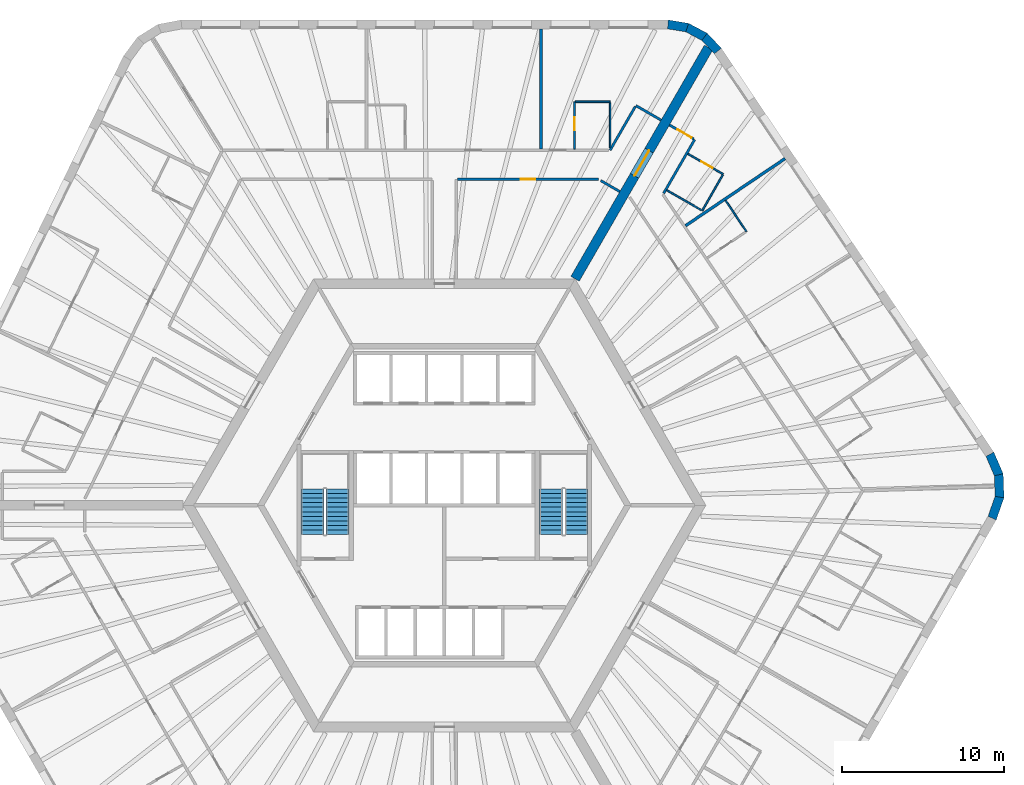
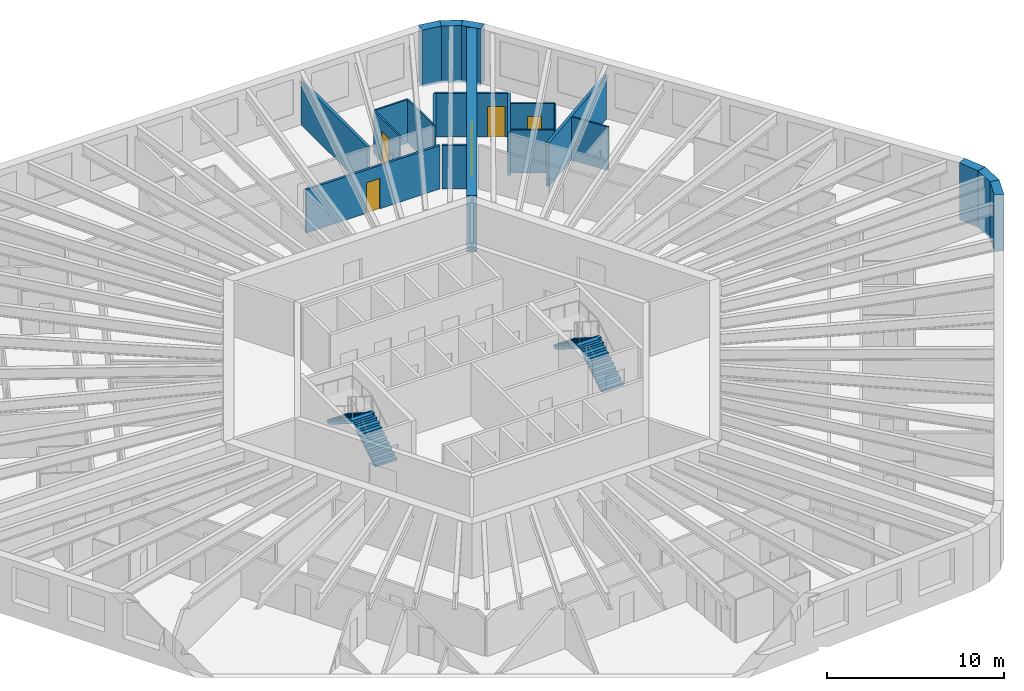
# One storey, part 10 of 11: 22 walls, 5 doors, 4 stair flights, 5 openings, 2 elements without a shape of their own.
"""IFC4 building model written with IfcOpenShell, lengths in metres."""

from ifc_helpers import new_model, si_unit, direction, frame, frame_2d, origin, place, context, subcontext, project, spatial, polyline, rectangle, outline, extrude, material, layer, layer_set, type_object, element, fill, aggregate, save


model = new_model("IFC4")

# Units and contexts
model_context = context("Model", 3, precision=1e-05, world=origin(), true_north=direction((0.0, 1.0)))
body_context = subcontext(model_context, "Body", "Model", "MODEL_VIEW")
ifc_project = project(units=[si_unit("LENGTHUNIT", "METRE"), si_unit("AREAUNIT", "SQUARE_METRE"), si_unit("VOLUMEUNIT", "CUBIC_METRE"), si_unit("PLANEANGLEUNIT", "RADIAN"), si_unit("MASSUNIT", "GRAM", prefix="KILO")], contexts=[model_context])

# Site, building, storey
site_placement = place(None, origin())
site = spatial("IfcSite", under=ifc_project, at=site_placement, CompositionType="ELEMENT")
building_placement = place(site_placement, origin())
building = spatial("IfcBuilding", under=site, at=building_placement, Name="Tarnside Tower", CompositionType="ELEMENT")
storey_placement = place(building_placement, frame((0.0, 0.0, 45.300048828125)))
storey = spatial("IfcBuildingStorey", under=building, at=storey_placement, Name="L08", CompositionType="ELEMENT", Elevation=45.300048828125)

# Wall, opening, door
ifc_material_1 = material(Name="Gypsum board partition on steel studs", Category="steel")
ifc_layer_1 = layer(ifc_material_1, 0.10009765625)
ifc_layer_set_1 = layer_set([ifc_layer_1], Name="Bathroom wall 100")
wall_type_1 = type_object("IfcWallType", Name="Bathroom wall 100", PredefinedType="PARTITIONING", material=ifc_layer_set_1)
wall_1_placement = place(storey_placement, frame((8.0478515625, 22.02490234375, 0.0), z_axis=(0.0, 0.0, 1.0), x_axis=(0.0, 1.0, 0.0)))
wall_1 = element("IfcWall", 1, at=wall_1_placement, inside=storey, type_object=wall_type_1, Name="Bathroom wall 01077", PredefinedType="PARTITIONING", context=body_context, shape_type="SweptSolid", body=[
    extrude(rectangle(XDim=2.925048828125, YDim=0.10009765625, at=frame_2d((1.46240234375, 0.0))), origin(), (0.0, 0.0, 1.0), 2.98779296875),
])
opening_1_placement = place(wall_1_placement, frame((1.175048828125, 0.0, 0.0)))
opening_1 = element("IfcOpeningElement", 2, at=opening_1_placement, cuts=wall_1, Name="Opening D-B1", PredefinedType="OPENING", context=body_context, shape_type="SweptSolid", body=[
    extrude(rectangle(XDim=0.800048828125, YDim=2.10009765625, at=frame_2d((0.39990234375, 1.050048828125))), frame((0.0, 0.06005859375, 0.0), z_axis=(0.0, -1.0, 0.0), x_axis=(1.0, 0.0, 0.0)), (0.0, 0.0, 1.0), 0.1201171875),
])
ifc_material_2 = material(Name="Timber door leaf", Category="wood")
door_type_1 = type_object("IfcDoorType", Name="Bathroom door 800", OperationType="NOTDEFINED", PredefinedType="DOOR", material=ifc_material_2)
door_1_placement = place(opening_1_placement, origin())
door_1 = element("IfcDoor", 3, at=door_1_placement, inside=storey, type_object=door_type_1, Name="Bathroom door 01002", OperationType="SINGLE_SWING_LEFT", OverallHeight=2.10009765625, OverallWidth=0.800048828125, PredefinedType="DOOR", context=body_context, shape_type="SweptSolid", body=[
    extrude(rectangle(XDim=0.800048828125, YDim=2.10009765625, at=frame_2d((0.39990234375, 1.050048828125))), frame((0.0, 0.02490234375, 0.0), z_axis=(0.0, -1.0, 0.0), x_axis=(1.0, 0.0, 0.0)), (0.0, 0.0, 1.0), 0.050048828125),
])
fill(opening_1, door_1)

# Walls
wall_2_placement = place(storey_placement, frame((8.097900390625, 24.949951171875, 0.0), z_axis=(0.0, 0.0, 1.0), x_axis=(1.0, 0.0, 0.0)))
element("IfcWall", 4, at=wall_2_placement, inside=storey, type_object=wall_type_1, Name="Bathroom wall 01078", PredefinedType="PARTITIONING", context=body_context, shape_type="SweptSolid", body=[
    extrude(rectangle(XDim=2.150146484375, YDim=0.10009765625, at=frame_2d((1.0751953125, 0.0))), origin(), (0.0, 0.0, 1.0), 2.98779296875),
])
wall_3_placement = place(storey_placement, frame((10.248046875, 24.89990234375, 0.0), z_axis=(0.0, 0.0, 1.0), x_axis=(0.0, -1.0, 0.0)))
element("IfcWall", 5, at=wall_3_placement, inside=storey, type_object=wall_type_1, Name="Bathroom wall 01079", PredefinedType="PARTITIONING", context=body_context, shape_type="SweptSolid", body=[
    extrude(rectangle(XDim=2.7998046875, YDim=0.10009765625, at=frame_2d((1.39990234375, 0.0))), origin(), (0.0, 0.0, 1.0), 2.98779296875),
])
wall_4_placement = place(storey_placement, frame((17.385986328125, 18.84228515625, 0.0), z_axis=(0.0, 0.0, 1.0), x_axis=(0.559131530856, -0.829078965602, 0.0)))
element("IfcWall", 6, at=wall_4_placement, inside=storey, type_object=wall_type_1, Name="Bathroom wall 01147", PredefinedType="PARTITIONING", context=body_context, shape_type="SweptSolid", body=[
    extrude(rectangle(XDim=2.309814453125, YDim=0.10009765625, at=frame_2d((1.15478515625, 0.0))), origin(), (0.0, 0.0, 1.0), 2.98779296875),
])

# Wall, opening, door
wall_5_placement = place(storey_placement, frame((15.057373046875, 21.72998046875, 0.0), z_axis=(0.0, 0.0, 1.0), x_axis=(0.866014894461, -0.50001820224, 0.0)))
wall_5 = element("IfcWall", 7, at=wall_5_placement, inside=storey, type_object=wall_type_1, Name="Bathroom wall 01153", PredefinedType="PARTITIONING", context=body_context, shape_type="SweptSolid", body=[
    extrude(rectangle(XDim=2.52490234375, YDim=0.10009765625, at=frame_2d((1.262451171875, 0.0))), origin(), (0.0, 0.0, 1.0), 2.98779296875),
])
opening_2_placement = place(wall_5_placement, frame((0.955078125, 0.0, 0.0)))
opening_2 = element("IfcOpeningElement", 8, at=opening_2_placement, cuts=wall_5, Name="Opening D-B1", PredefinedType="OPENING", context=body_context, shape_type="SweptSolid", body=[
    extrude(rectangle(XDim=0.800048828125, YDim=2.10009765625, at=frame_2d((0.39990234375, 1.050048828125))), frame((0.0, 0.06005859375, 0.0), z_axis=(0.0, -1.0, 0.0), x_axis=(1.0, 0.0, 0.0)), (0.0, 0.0, 1.0), 0.1201171875),
])
door_2_placement = place(opening_2_placement, origin())
door_2 = element("IfcDoor", 9, at=door_2_placement, inside=storey, type_object=door_type_1, Name="Bathroom door 01041", OperationType="SINGLE_SWING_LEFT", OverallHeight=2.10009765625, OverallWidth=0.800048828125, PredefinedType="DOOR", context=body_context, shape_type="SweptSolid", body=[
    extrude(rectangle(XDim=0.800048828125, YDim=2.10009765625, at=frame_2d((0.39990234375, 1.050048828125))), frame((0.0, 0.02490234375, 0.0), z_axis=(0.0, -1.0, 0.0), x_axis=(1.0, 0.0, 0.0)), (0.0, 0.0, 1.0), 0.050048828125),
])
fill(opening_2, door_2)

# Walls
wall_6_placement = place(storey_placement, frame((17.218994140625, 20.42431640625, 0.0), z_axis=(0.0, 0.0, 1.0), x_axis=(-0.499948979701, -0.866054858364, 0.0)))
element("IfcWall", 10, at=wall_6_placement, inside=storey, type_object=wall_type_1, Name="Bathroom wall 01154", PredefinedType="PARTITIONING", context=body_context, shape_type="SweptSolid", body=[
    extrude(rectangle(XDim=2.550048828125, YDim=0.10009765625, at=frame_2d((1.27490234375, 0.0))), origin(), (0.0, 0.0, 1.0), 2.98779296875),
])
wall_7_placement = place(storey_placement, frame((15.900634765625, 18.24072265625, 0.0), z_axis=(0.0, 0.0, 1.0), x_axis=(-0.866006523861, 0.500032699561, 0.0)))
element("IfcWall", 11, at=wall_7_placement, inside=storey, type_object=wall_type_1, Name="Bathroom wall 01155", PredefinedType="PARTITIONING", context=body_context, shape_type="SweptSolid", body=[
    extrude(rectangle(XDim=2.474853515625, YDim=0.10009765625, at=frame_2d((1.2373046875, 0.0))), origin(), (0.0, 0.0, 1.0), 2.98779296875),
])

# Wall, opening, door
ifc_material_3 = material(Name="Concrete C80/95", Category="concrete")
ifc_layer_2 = layer(ifc_material_3, 0.60009765625)
ifc_layer_set_2 = layer_set([ifc_layer_2], Name="Core wall Z1 600 C80/95")
wall_type_2 = type_object("IfcWallType", Name="Core wall Z1 600 C80/95", PredefinedType="SHEAR", material=ifc_layer_set_2)
wall_8_placement = place(storey_placement, frame((8.0830078125, 14.0, -0.150146484375), z_axis=(0.0, 0.0, 1.0), x_axis=(0.499997680643, 0.866026742862, 0.0)))
wall_8 = element("IfcWall", 12, at=wall_8_placement, inside=storey, type_object=wall_type_2, Name="L08 spine wall 1", PredefinedType="SHEAR", context=body_context, shape_type="SweptSolid", body=[
    extrude(rectangle(XDim=16.5087890625, YDim=0.60009765625, at=frame_2d((8.25439453125, 0.0))), origin(), (0.0, 0.0, 1.0), 3.900146484375),
])
opening_3_placement = place(wall_8_placement, frame((7.3544921875, 0.0, 0.14990234375)))
opening_3 = element("IfcOpeningElement", 13, at=opening_3_placement, cuts=wall_8, Name="Opening CD-SPN", PredefinedType="OPENING", context=body_context, shape_type="SweptSolid", body=[
    extrude(rectangle(XDim=1.800048828125, YDim=2.39990234375, at=frame_2d((0.89990234375, 1.199951171875))), frame((0.0, 0.31005859375, 0.0), z_axis=(0.0, -1.0, 0.0), x_axis=(1.0, 0.0, 0.0)), (0.0, 0.0, 1.0), 0.6201171875),
])
ifc_material_4 = material(Name="Steel fire door", Category="steel")
door_type_2 = type_object("IfcDoorType", Name="Spine passage double door FD60 1800x2400", OperationType="NOTDEFINED", PredefinedType="DOOR", material=ifc_material_4)
door_3_placement = place(opening_3_placement, origin())
door_3 = element("IfcDoor", 14, at=door_3_placement, inside=storey, type_object=door_type_2, Name="L08 spine passage door 1", OperationType="DOUBLE_DOOR_SINGLE_SWING", OverallHeight=2.39990234375, OverallWidth=1.800048828125, PredefinedType="DOOR", context=body_context, shape_type="SweptSolid", body=[
    extrude(rectangle(XDim=1.800048828125, YDim=2.39990234375, at=frame_2d((0.89990234375, 1.199951171875))), frame((0.0, 0.02490234375, 0.0), z_axis=(0.0, -1.0, 0.0), x_axis=(1.0, 0.0, 0.0)), (0.0, 0.0, 1.0), 0.050048828125),
])
fill(opening_3, door_3)

# Walls
ifc_layer_3 = layer(ifc_material_1, 0.14990234375)
ifc_layer_set_3 = layer_set([ifc_layer_3], Name="Corridor wall 150 EI 60")
wall_type_3 = type_object("IfcWallType", Name="Corridor wall 150 EI 60", PredefinedType="PARTITIONING", material=ifc_layer_set_3)
wall_9_placement = place(storey_placement, frame((13.400390625, 23.81005859375, 0.0), z_axis=(0.0, 0.0, 1.0), x_axis=(-0.865989075817, 0.500062916607, 0.0)))
element("IfcWall", 15, at=wall_9_placement, inside=storey, type_object=wall_type_3, Name="Corridor wall 01002", PredefinedType="PARTITIONING", context=body_context, shape_type="SweptSolid", body=[
    extrude(rectangle(XDim=1.800048828125, YDim=0.14990234375, at=frame_2d((0.89990234375, 0.0))), origin(), (0.0, 0.0, 1.0), 2.98779296875),
])
wall_10_placement = place(storey_placement, frame((11.803955078125, 24.64501953125, 0.0), z_axis=(0.0, 0.0, 1.0), x_axis=(-0.499978251519, -0.866037959912, 0.0)))
element("IfcWall", 16, at=wall_10_placement, inside=storey, type_object=wall_type_3, Name="Corridor wall 01003", PredefinedType="PARTITIONING", context=body_context, shape_type="SweptSolid", body=[
    extrude(rectangle(XDim=3.112060546875, YDim=0.14990234375, at=frame_2d((1.55615234375, 0.0))), origin(), (0.0, 0.0, 1.0), 2.98779296875),
])

# Wall, opening, door
wall_11_placement = place(storey_placement, frame((0.824951171875, 20.14990234375, 0.0), z_axis=(0.0, 0.0, 1.0), x_axis=(1.0, 0.0, 0.0)))
wall_11 = element("IfcWall", 17, at=wall_11_placement, inside=storey, type_object=wall_type_3, Name="Corridor wall 01021", PredefinedType="PARTITIONING", context=body_context, shape_type="SweptSolid", body=[
    extrude(rectangle(XDim=8.712158203125, YDim=0.14990234375, at=frame_2d((4.35595703125, 0.0))), origin(), (0.0, 0.0, 1.0), 2.98779296875),
])
opening_4_placement = place(wall_11_placement, frame((3.906005859375, 0.0, 0.0)))
opening_4 = element("IfcOpeningElement", 18, at=opening_4_placement, cuts=wall_11, Name="Opening D-S1", PredefinedType="OPENING", context=body_context, shape_type="SweptSolid", body=[
    extrude(rectangle(XDim=0.89990234375, YDim=2.10009765625, at=frame_2d((0.449951171875, 1.050048828125))), frame((0.0, 0.0849609375, 0.0), z_axis=(0.0, -1.0, 0.0), x_axis=(1.0, 0.0, 0.0)), (0.0, 0.0, 1.0), 0.169921875),
])
door_type_3 = type_object("IfcDoorType", Name="Service room door 900 FD30S", OperationType="NOTDEFINED", PredefinedType="DOOR", material=ifc_material_2)
door_4_placement = place(opening_4_placement, origin())
door_4 = element("IfcDoor", 19, at=door_4_placement, inside=storey, type_object=door_type_3, Name="Service door 01043", OperationType="SINGLE_SWING_RIGHT", OverallHeight=2.10009765625, OverallWidth=0.89990234375, PredefinedType="DOOR", context=body_context, shape_type="SweptSolid", body=[
    extrude(rectangle(XDim=0.89990234375, YDim=2.10009765625, at=frame_2d((0.449951171875, 1.050048828125))), frame((0.0, 0.02490234375, 0.0), z_axis=(0.0, -1.0, 0.0), x_axis=(1.0, 0.0, 0.0)), (0.0, 0.0, 1.0), 0.050048828125),
])
fill(opening_4, door_4)

# Walls
wall_12_placement = place(storey_placement, frame((9.6669921875, 20.074951171875, 0.0), z_axis=(0.0, 0.0, 1.0), x_axis=(0.866000994684, -0.500042275419, 0.0)))
element("IfcWall", 20, at=wall_12_placement, inside=storey, type_object=wall_type_3, Name="Corridor wall 01022", PredefinedType="PARTITIONING", context=body_context, shape_type="SweptSolid", body=[
    extrude(rectangle(XDim=1.36572265625, YDim=0.14990234375, at=frame_2d((0.682861328125, 0.0))), origin(), (0.0, 0.0, 1.0), 2.98779296875),
])
wall_13_placement = place(storey_placement, frame((13.55908203125, 19.284912109375, 0.0), z_axis=(0.0, 0.0, 1.0), x_axis=(0.499975646431, 0.866039463868, 0.0)))
element("IfcWall", 21, at=wall_13_placement, inside=storey, type_object=wall_type_3, Name="Corridor wall 01064", PredefinedType="PARTITIONING", context=body_context, shape_type="SweptSolid", body=[
    extrude(rectangle(XDim=3.839599609375, YDim=0.14990234375, at=frame_2d((1.919921875, 0.0))), origin(), (0.0, 0.0, 1.0), 2.98779296875),
])

# Wall, opening, door
wall_14_placement = place(storey_placement, frame((15.413818359375, 22.647705078125, 0.0), z_axis=(0.0, 0.0, 1.0), x_axis=(-0.866074815912, 0.499914405916, 0.0)))
wall_14 = element("IfcWall", 22, at=wall_14_placement, inside=storey, type_object=wall_type_3, Name="Corridor wall 01066", PredefinedType="PARTITIONING", context=body_context, shape_type="SweptSolid", body=[
    extrude(rectangle(XDim=1.724853515625, YDim=0.14990234375, at=frame_2d((0.8623046875, 0.0))), origin(), (0.0, 0.0, 1.0), 2.98779296875),
])
opening_5_placement = place(wall_14_placement, frame((0.14990234375, 0.0, 0.0)))
opening_5 = element("IfcOpeningElement", 23, at=opening_5_placement, cuts=wall_14, Name="Opening D-E1", PredefinedType="OPENING", context=body_context, shape_type="SweptSolid", body=[
    extrude(rectangle(XDim=1.0, YDim=2.10009765625, at=frame_2d((0.5, 1.050048828125))), frame((0.0, 0.0849609375, 0.0), z_axis=(0.0, -1.0, 0.0), x_axis=(1.0, 0.0, 0.0)), (0.0, 0.0, 1.0), 0.169921875),
])
door_type_4 = type_object("IfcDoorType", Name="Unit entrance door 1000 FD30S", OperationType="NOTDEFINED", PredefinedType="DOOR", material=ifc_material_2)
door_5_placement = place(opening_5_placement, origin())
door_5 = element("IfcDoor", 24, at=door_5_placement, inside=storey, type_object=door_type_4, Name="Unit door 01040", OperationType="SINGLE_SWING_RIGHT", OverallHeight=2.10009765625, OverallWidth=1.0, PredefinedType="DOOR", context=body_context, shape_type="SweptSolid", body=[
    extrude(rectangle(XDim=1.0, YDim=2.10009765625, at=frame_2d((0.5, 1.050048828125))), frame((0.0, 0.02490234375, 0.0), z_axis=(0.0, -1.0, 0.0), x_axis=(1.0, 0.0, 0.0)), (0.0, 0.0, 1.0), 0.050048828125),
])
fill(opening_5, door_5)

# Walls
ifc_layer_4 = layer(ifc_material_1, 0.179931640625)
ifc_layer_set_4 = layer_set([ifc_layer_4], Name="Demising wall 180 EI 60")
wall_type_4 = type_object("IfcWallType", Name="Demising wall 180 EI 60", PredefinedType="PARTITIONING", material=ifc_layer_set_4)
for number, where, z_axis, x_axis, name in (
    (25, (5.989013671875, 29.449951171875, 0.0), (0.0, 0.0, 1.0), (0.0, -1.0, 0.0), "Demising wall 01080"),
    (26, (21.066162109375, 21.433349609375, 0.0), (0.0, 0.0, 1.0), (-0.829028170871, -0.559206841788, 0.0), "Demising wall 01151"),
):
    element("IfcWall", number, at=place(storey_placement, frame(where, z_axis=z_axis, x_axis=x_axis)), inside=storey, type_object=wall_type_4, Name=name, PredefinedType="PARTITIONING", context=body_context, shape_type="SweptSolid", body=[
        extrude(rectangle(XDim=7.425048828125, YDim=0.179931640625, at=frame_2d((3.71240234375, 0.0))), origin(), (0.0, 0.0, 1.0), 2.98779296875),
    ])
ifc_material_5 = material(Name="Facing brick", Category="masonry")
ifc_layer_5 = layer(ifc_material_5, 0.10205078125)
ifc_material_6 = material(Name="Concrete C60/75 precast", Category="concrete")
ifc_layer_6 = layer(ifc_material_6, 0.347900390625)
ifc_material_7 = material(Name="Mineral wool insulation")
ifc_layer_7 = layer(ifc_material_7, 0.10009765625)
ifc_layer_set_5 = layer_set([ifc_layer_5, ifc_layer_6, ifc_layer_7], Name="Tube wall 550 brick faced")
wall_type_5 = type_object("IfcWallType", Name="Tube wall 550 brick faced", PredefinedType="SOLIDWALL", material=ifc_layer_set_5)
wall_15_placement = place(storey_placement, frame((33.865966796875, -0.79248046875, -0.150146484375), z_axis=(0.0, 0.0, 1.0), x_axis=(0.33111537203, 0.943590276765, 0.0)))
element("IfcWall", 27, at=wall_15_placement, inside=storey, type_object=wall_type_5, Name="Tube wall L08 F5 chord 17", PredefinedType="SOLIDWALL", context=body_context, shape_type="SweptSolid", body=[
    extrude(outline(polyline([(-0.025634765625, -0.27490234375), (1.4306640625, -0.27490234375), (1.3271484375, 0.27490234375), (0.025634765625, 0.27490234375), (-0.025634765625, -0.27490234375)])), origin(), (0.0, 0.0, 1.0), 3.900146484375),
])
wall_16_placement = place(storey_placement, frame((34.322509765625, 0.508544921875, -0.150146484375), z_axis=(0.0, 0.0, 1.0), x_axis=(-0.034876908462, 0.999391615562, 0.0)))
element("IfcWall", 28, at=wall_16_placement, inside=storey, type_object=wall_type_5, Name="Tube wall L08 F5 chord 18", PredefinedType="SOLIDWALL", context=body_context, shape_type="SweptSolid", body=[
    extrude(outline(polyline([(-0.0517578125, -0.27490234375), (1.4306640625, -0.27490234375), (1.3271484375, 0.27490234375), (0.0517578125, 0.27490234375), (-0.0517578125, -0.27490234375)])), origin(), (0.0, 0.0, 1.0), 3.900146484375),
])
wall_17_placement = place(storey_placement, frame((34.2744140625, 1.88671875, -0.150146484375), z_axis=(0.0, 0.0, 1.0), x_axis=(-0.396161342798, 0.918180913803, 0.0)))
element("IfcWall", 29, at=wall_17_placement, inside=storey, type_object=wall_type_5, Name="Tube wall L08 F5 chord 19", PredefinedType="SOLIDWALL", context=body_context, shape_type="SweptSolid", body=[
    extrude(outline(polyline([(-0.0517578125, -0.27490234375), (1.40478515625, -0.27490234375), (1.353515625, 0.27490234375), (0.0517578125, 0.27490234375), (-0.0517578125, -0.27490234375)])), origin(), (0.0, 0.0, 1.0), 3.900146484375),
])
wall_18_placement = place(storey_placement, frame((16.91259765625, 28.0830078125, -0.150146484375), z_axis=(0.0, 0.0, 1.0), x_axis=(-0.686196220404, 0.727416488061, 0.0)))
element("IfcWall", 30, at=wall_18_placement, inside=storey, type_object=wall_type_5, Name="Tube wall L08 F6 chord 21", PredefinedType="SOLIDWALL", context=body_context, shape_type="SweptSolid", body=[
    extrude(outline(polyline([(-0.0224609375, -0.27490234375), (1.25341796875, -0.27490234375), (1.1630859375, 0.27490234375), (0.0224609375, 0.27490234375), (-0.0224609375, -0.27490234375)])), origin(), (0.0, 0.0, 1.0), 3.900146484375),
])
wall_19_placement = place(storey_placement, frame((16.08349609375, 28.9619140625, -0.150146484375), z_axis=(0.0, 0.0, 1.0), x_axis=(-0.882995347911, 0.469381737574, 0.0)))
element("IfcWall", 31, at=wall_19_placement, inside=storey, type_object=wall_type_5, Name="Tube wall L08 F6 chord 22", PredefinedType="SOLIDWALL", context=body_context, shape_type="SweptSolid", body=[
    extrude(outline(polyline([(-0.045166015625, -0.27490234375), (1.25341796875, -0.27490234375), (1.1630859375, 0.27490234375), (0.045166015625, 0.27490234375), (-0.045166015625, -0.27490234375)])), origin(), (0.0, 0.0, 1.0), 3.900146484375),
])
wall_20_placement = place(storey_placement, frame((15.0166015625, 29.529052734375, -0.150146484375), z_axis=(0.0, 0.0, 1.0), x_axis=(-0.986746625868, 0.162268593195, 0.0)))
element("IfcWall", 32, at=wall_20_placement, inside=storey, type_object=wall_type_5, Name="Tube wall L08 F6 chord 23", PredefinedType="SOLIDWALL", context=body_context, shape_type="SweptSolid", body=[
    extrude(outline(polyline([(-0.045166015625, -0.27490234375), (1.230712890625, -0.27490234375), (1.185791015625, 0.27490234375), (0.045166015625, 0.27490234375), (-0.045166015625, -0.27490234375)])), origin(), (0.0, 0.0, 1.0), 3.900146484375),
])

# Stair, stair flights
ifc_material_8 = material(Name="Concrete C40/50", Category="concrete")
stair_type = type_object("IfcStairType", Name="Exit stair 1400 clear", PredefinedType="HALF_TURN_STAIR", material=ifc_material_8)
stair_1_placement = place(storey_placement, origin())
stair_1 = element("IfcStair", 33, at=stair_1_placement, inside=storey, type_object=stair_type, Name="L08 Exit stair 1", PredefinedType="HALF_TURN_STAIR")
stair_flight_type = type_object("IfcStairFlightType", Name="Exit stair flight 1400", PredefinedType="STRAIGHT", material=ifc_material_8)
stair_flight_1_placement = place(storey_placement, frame((8.14990234375, -1.800048828125, 0.0), z_axis=(0.0, 0.0, 1.0), x_axis=(0.0, 1.0, 0.0)))
stair_flight_1 = element("IfcStairFlight", 34, at=stair_flight_1_placement, type_object=stair_flight_type, Name="ST1 flight 1", NumberOfRisers=11, NumberOfTreads=10, PredefinedType="STRAIGHT", RiserHeight=0.177272727, TreadLength=0.28, context=body_context, shape_type="SweptSolid", body=[
    extrude(outline(polyline([(0.0, 0.0), (0.0, 0.17724609375), (0.280029296875, 0.17724609375), (0.280029296875, 0.3544921875), (0.56005859375, 0.3544921875), (0.56005859375, 0.53173828125), (0.840087890625, 0.53173828125), (0.840087890625, 0.708984375), (1.1201171875, 0.708984375), (1.1201171875, 0.886474609375), (1.39990234375, 0.886474609375), (1.39990234375, 1.063720703125), (1.679931640625, 1.063720703125), (1.679931640625, 1.240966796875), (1.9599609375, 1.240966796875), (1.9599609375, 1.418212890625), (2.239990234375, 1.418212890625), (2.239990234375, 1.595458984375), (2.52001953125, 1.595458984375), (2.52001953125, 1.772705078125), (2.800048828125, 1.772705078125), (2.800048828125, 1.949951171875), (2.800048828125, 1.59521484375), (0.2802734375, 0.0), (0.0, 0.0)])), frame((0.0, 0.699951171875, 0.0), z_axis=(0.0, -1.0, 0.0), x_axis=(1.0, 0.0, 0.0)), (0.0, 0.0, 1.0), 1.39990234375),
])
stair_flight_2_placement = place(storey_placement, frame((6.60009765625, 1.0, 1.949951171875), z_axis=(0.0, 0.0, 1.0), x_axis=(0.0, -1.0, 0.0)))
stair_flight_2 = element("IfcStairFlight", 35, at=stair_flight_2_placement, type_object=stair_flight_type, Name="ST1 flight 2", NumberOfRisers=11, NumberOfTreads=10, PredefinedType="STRAIGHT", RiserHeight=0.177272727, TreadLength=0.28, context=body_context, shape_type="SweptSolid", body=[
    extrude(outline(polyline([(0.0, 0.0), (0.0, 0.17724609375), (0.280029296875, 0.17724609375), (0.280029296875, 0.3544921875), (0.56005859375, 0.3544921875), (0.56005859375, 0.53173828125), (0.840087890625, 0.53173828125), (0.840087890625, 0.708984375), (1.1201171875, 0.708984375), (1.1201171875, 0.886474609375), (1.39990234375, 0.886474609375), (1.39990234375, 1.063720703125), (1.679931640625, 1.063720703125), (1.679931640625, 1.240966796875), (1.9599609375, 1.240966796875), (1.9599609375, 1.418212890625), (2.239990234375, 1.418212890625), (2.239990234375, 1.595458984375), (2.52001953125, 1.595458984375), (2.52001953125, 1.772705078125), (2.800048828125, 1.772705078125), (2.800048828125, 1.949951171875), (2.800048828125, 1.59521484375), (0.2802734375, 0.0), (0.0, 0.0)])), frame((0.0, 0.699951171875, 0.0), z_axis=(0.0, -1.0, 0.0), x_axis=(1.0, 0.0, 0.0)), (0.0, 0.0, 1.0), 1.39990234375),
])
aggregate(stair_1, [stair_flight_1, stair_flight_2])

stair_2_placement = place(storey_placement, origin())
stair_2 = element("IfcStair", 36, at=stair_2_placement, inside=storey, type_object=stair_type, Name="L08 Exit stair 2", PredefinedType="HALF_TURN_STAIR")
stair_flight_3_placement = place(storey_placement, frame((-6.60009765625, -1.800048828125, 0.0), z_axis=(0.0, 0.0, 1.0), x_axis=(0.0, 1.0, 0.0)))
stair_flight_3 = element("IfcStairFlight", 37, at=stair_flight_3_placement, type_object=stair_flight_type, Name="ST2 flight 1", NumberOfRisers=11, NumberOfTreads=10, PredefinedType="STRAIGHT", RiserHeight=0.177272727, TreadLength=0.28, context=body_context, shape_type="SweptSolid", body=[
    extrude(outline(polyline([(0.0, 0.0), (0.0, 0.17724609375), (0.280029296875, 0.17724609375), (0.280029296875, 0.3544921875), (0.56005859375, 0.3544921875), (0.56005859375, 0.53173828125), (0.840087890625, 0.53173828125), (0.840087890625, 0.708984375), (1.1201171875, 0.708984375), (1.1201171875, 0.886474609375), (1.39990234375, 0.886474609375), (1.39990234375, 1.063720703125), (1.679931640625, 1.063720703125), (1.679931640625, 1.240966796875), (1.9599609375, 1.240966796875), (1.9599609375, 1.418212890625), (2.239990234375, 1.418212890625), (2.239990234375, 1.595458984375), (2.52001953125, 1.595458984375), (2.52001953125, 1.772705078125), (2.800048828125, 1.772705078125), (2.800048828125, 1.949951171875), (2.800048828125, 1.59521484375), (0.2802734375, 0.0), (0.0, 0.0)])), frame((0.0, 0.699951171875, 0.0), z_axis=(0.0, -1.0, 0.0), x_axis=(1.0, 0.0, 0.0)), (0.0, 0.0, 1.0), 1.39990234375),
])
stair_flight_4_placement = place(storey_placement, frame((-8.14990234375, 1.0, 1.949951171875), z_axis=(0.0, 0.0, 1.0), x_axis=(0.0, -1.0, 0.0)))
stair_flight_4 = element("IfcStairFlight", 38, at=stair_flight_4_placement, type_object=stair_flight_type, Name="ST2 flight 2", NumberOfRisers=11, NumberOfTreads=10, PredefinedType="STRAIGHT", RiserHeight=0.177272727, TreadLength=0.28, context=body_context, shape_type="SweptSolid", body=[
    extrude(outline(polyline([(0.0, 0.0), (0.0, 0.17724609375), (0.280029296875, 0.17724609375), (0.280029296875, 0.3544921875), (0.56005859375, 0.3544921875), (0.56005859375, 0.53173828125), (0.840087890625, 0.53173828125), (0.840087890625, 0.708984375), (1.1201171875, 0.708984375), (1.1201171875, 0.886474609375), (1.39990234375, 0.886474609375), (1.39990234375, 1.063720703125), (1.679931640625, 1.063720703125), (1.679931640625, 1.240966796875), (1.9599609375, 1.240966796875), (1.9599609375, 1.418212890625), (2.239990234375, 1.418212890625), (2.239990234375, 1.595458984375), (2.52001953125, 1.595458984375), (2.52001953125, 1.772705078125), (2.800048828125, 1.772705078125), (2.800048828125, 1.949951171875), (2.800048828125, 1.59521484375), (0.2802734375, 0.0), (0.0, 0.0)])), frame((0.0, 0.699951171875, 0.0), z_axis=(0.0, -1.0, 0.0), x_axis=(1.0, 0.0, 0.0)), (0.0, 0.0, 1.0), 1.39990234375),
])
aggregate(stair_2, [stair_flight_3, stair_flight_4])

save(model, "model.ifc")
